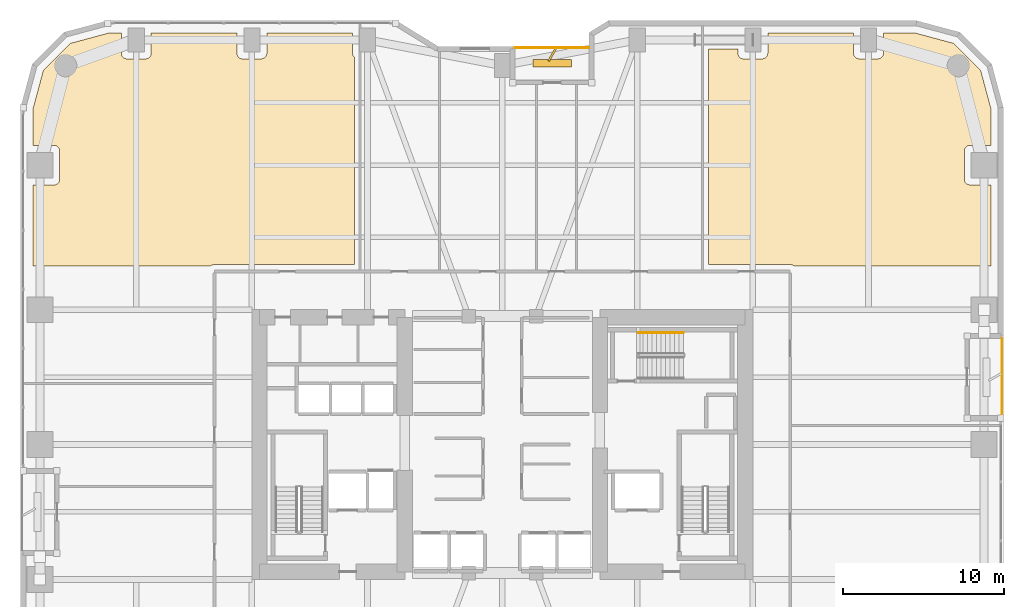
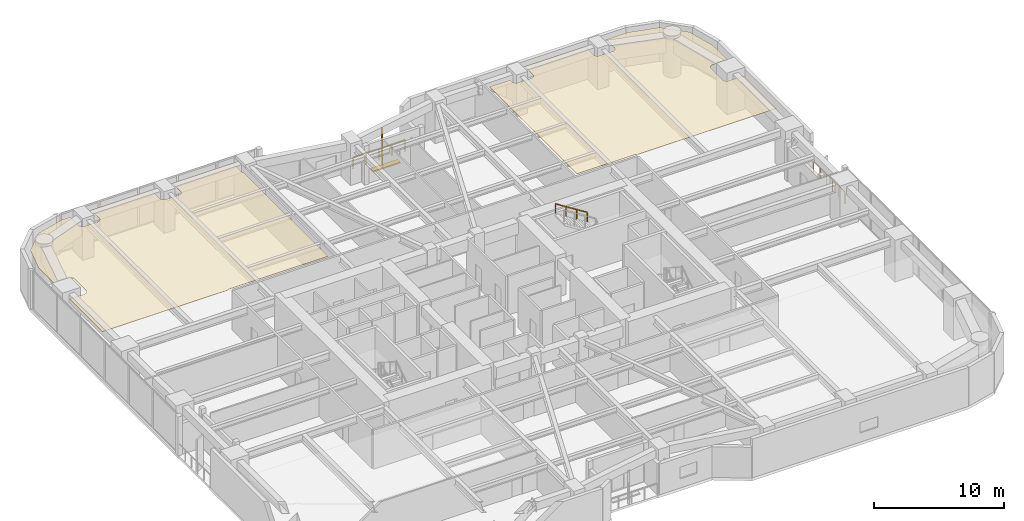
# One storey, part 28 of 28: 3 railings, 2 coverings, 2 shading devices.
"""IFC4 building model written with IfcOpenShell, lengths in metres."""

from ifc_helpers import new_model, si_unit, direction, frame, origin, origin_2d, place, context, subcontext, project, spatial, polyline, rectangle, outline, extrude, material, layer, layer_set, type_object, element, save


model = new_model("IFC4")

# Units and contexts
model_context = context("Model", 3, precision=1e-05, world=origin(), true_north=direction((0.0, 1.0)))
body_context = subcontext(model_context, "Body", "Model", "MODEL_VIEW")
ifc_project = project(units=[si_unit("LENGTHUNIT", "METRE"), si_unit("AREAUNIT", "SQUARE_METRE"), si_unit("VOLUMEUNIT", "CUBIC_METRE"), si_unit("PLANEANGLEUNIT", "RADIAN"), si_unit("MASSUNIT", "GRAM", prefix="KILO")], contexts=[model_context])

# Site, building, storey
site_placement = place(None, origin())
site = spatial("IfcSite", under=ifc_project, at=site_placement, CompositionType="ELEMENT")
building_placement = place(site_placement, origin())
building = spatial("IfcBuilding", under=site, at=building_placement, Name="Kiyonajd Concourse Tower", CompositionType="ELEMENT")
storey_placement = place(building_placement, frame((0.0, 0.0, 37.199951171875)))
storey = spatial("IfcBuildingStorey", under=building, at=storey_placement, Name="L10", CompositionType="ELEMENT", Elevation=37.199951171875)

# Coverings
ifc_material_1 = material(Name="Natural Oak Acoustic Timber Veneer", Category="wood")
ifc_layer = layer(ifc_material_1, 0.0400390625)
ifc_layer_set = layer_set([ifc_layer], Name="Natural Oak Acoustic Timber Veneer")
covering_type = type_object("IfcCoveringType", Name="CV-CLG-ACST", PredefinedType="CEILING", material=ifc_layer_set)
covering_1_placement = place(storey_placement, frame((0.0, 0.0, 3.4599609375)))
element("IfcCovering", 1, at=covering_1_placement, inside=storey, type_object=covering_type, Name="L10-47 Room Acoustic Ceiling", PredefinedType="CEILING", context=body_context, shape_type="SweptSolid", body=[
    extrude(outline(polyline([(21.097900390625, 60.986083984375), (23.5009765625, 61.6298828125), (24.27001953125, 61.6298828125), (24.27197265625, 60.3359375), (24.297119140625, 60.236083984375), (24.3291015625, 60.176025390625), (24.373046875, 60.123046875), (24.426025390625, 60.0791015625), (24.486083984375, 60.047119140625), (24.5859375, 60.02197265625), (25.81396484375, 60.02197265625), (25.9140625, 60.047119140625), (26.001953125, 60.09912109375), (26.051025390625, 60.14794921875), (26.089111328125, 60.205078125), (26.123046875, 60.302001953125), (26.1298828125, 60.3701171875), (26.1298828125, 61.6298828125), (31.469970703125, 61.6298828125), (31.471923828125, 60.3359375), (31.4970703125, 60.236083984375), (31.529052734375, 60.176025390625), (31.572998046875, 60.123046875), (31.6259765625, 60.0791015625), (31.68603515625, 60.047119140625), (31.785888671875, 60.02197265625), (32.97998046875, 60.02001953125), (33.048095703125, 60.027099609375), (33.114013671875, 60.047119140625), (33.201904296875, 60.09912109375), (33.2509765625, 60.14794921875), (33.2890625, 60.205078125), (33.322998046875, 60.302001953125), (33.330078125, 60.3701171875), (33.330078125, 61.6298828125), (38.669921875, 61.6298828125), (38.672119140625, 60.3359375), (38.68505859375, 60.26806640625), (38.7109375, 60.205078125), (38.780029296875, 60.115966796875), (38.780029296875, 47.2099609375), (30.074951171875, 47.2099609375), (29.945068359375, 47.18994140625), (29.882080078125, 47.1640625), (29.826904296875, 47.1298828125), (18.77001953125, 47.1298828125), (18.77001953125, 52.169921875), (20.080078125, 52.169921875), (20.14794921875, 52.177001953125), (20.2451171875, 52.2109375), (20.302001953125, 52.2490234375), (20.35107421875, 52.298095703125), (20.388916015625, 52.35498046875), (20.4150390625, 52.41796875), (20.429931640625, 52.52001953125), (20.429931640625, 54.280029296875), (20.4150390625, 54.382080078125), (20.388916015625, 54.445068359375), (20.35107421875, 54.501953125), (20.302001953125, 54.551025390625), (20.2451171875, 54.589111328125), (20.181884765625, 54.614990234375), (20.114013671875, 54.6279296875), (18.77001953125, 54.6298828125), (18.77001953125, 56.89892578125), (19.4140625, 59.302001953125), (21.097900390625, 60.986083984375)])), origin(), (0.0, 0.0, 1.0), 0.0400390625),
])
covering_2_placement = place(storey_placement, frame((0.0, 0.0, 3.4599609375)))
element("IfcCovering", 2, at=covering_2_placement, inside=storey, type_object=covering_type, Name="L10-52 Room Acoustic Ceiling", PredefinedType="CEILING", context=body_context, shape_type="SweptSolid", body=[
    extrude(outline(polyline([(66.173095703125, 47.1298828125), (66.117919921875, 47.1640625), (66.054931640625, 47.18994140625), (65.925048828125, 47.2099609375), (60.830078125, 47.2099609375), (60.830078125, 60.6298828125), (62.669921875, 60.6298828125), (62.672119140625, 60.3359375), (62.697021484375, 60.236083984375), (62.72900390625, 60.176025390625), (62.77294921875, 60.123046875), (62.825927734375, 60.0791015625), (62.885986328125, 60.047119140625), (62.951904296875, 60.027099609375), (63.02001953125, 60.02001953125), (64.179931640625, 60.02001953125), (64.281982421875, 60.034912109375), (64.344970703125, 60.06103515625), (64.427001953125, 60.123046875), (64.489013671875, 60.205078125), (64.52294921875, 60.302001953125), (64.530029296875, 60.3701171875), (64.530029296875, 61.6298828125), (69.8701171875, 61.6298828125), (69.8701171875, 60.3701171875), (69.876953125, 60.302001953125), (69.89697265625, 60.236083984375), (69.928955078125, 60.176025390625), (69.998046875, 60.09912109375), (70.0859375, 60.047119140625), (70.18603515625, 60.02197265625), (71.4140625, 60.02197265625), (71.513916015625, 60.047119140625), (71.573974609375, 60.0791015625), (71.626953125, 60.123046875), (71.68896484375, 60.205078125), (71.715087890625, 60.26806640625), (71.72802734375, 60.3359375), (71.72998046875, 61.6298828125), (73.698974609375, 61.6298828125), (76.10205078125, 60.986083984375), (77.785888671875, 59.302001953125), (78.429931640625, 56.89892578125), (78.429931640625, 54.6298828125), (77.1201171875, 54.6298828125), (77.052001953125, 54.623046875), (76.986083984375, 54.60302734375), (76.926025390625, 54.571044921875), (76.84912109375, 54.501953125), (76.81103515625, 54.445068359375), (76.784912109375, 54.382080078125), (76.77001953125, 54.280029296875), (76.77001953125, 52.52001953125), (76.784912109375, 52.41796875), (76.81103515625, 52.35498046875), (76.84912109375, 52.298095703125), (76.89794921875, 52.2490234375), (76.955078125, 52.2109375), (77.01806640625, 52.18505859375), (77.0859375, 52.172119140625), (78.429931640625, 52.169921875), (78.429931640625, 47.1298828125), (66.173095703125, 47.1298828125)])), origin(), (0.0, 0.0, 1.0), 0.0400390625),
])

# Railings
ifc_material_2 = material(Name="Thermally Broken Anodised Aluminium", Category="aluminium")
railing_type_1 = type_object("IfcRailingType", Name="RL-GRD-LOG", PredefinedType="GUARDRAIL", material=ifc_material_2)
railing_1_placement = place(storey_placement, frame((53.39990234375, 60.719970703125, 0.0)))
element("IfcRailing", 3, at=railing_1_placement, inside=storey, type_object=railing_type_1, Name="L10 Engawa Loggia Perimeter Guard LOG-N", PredefinedType="GUARDRAIL", context=body_context, shape_type="SweptSolid", body=[
    extrude(rectangle(XDim=0.048095703125, YDim=0.048095703125, at=origin_2d()), frame((0.0, 0.0, 1.076171875), z_axis=(-1.0, 0.0, 0.0), x_axis=(0.0, -1.0, 0.0)), (0.0, 0.0, 1.0), 4.599853515625),
    extrude(rectangle(XDim=0.0419921875, YDim=0.0419921875, at=origin_2d()), origin(), (0.0, 0.0, 1.0), 1.052001953125),
    extrude(rectangle(XDim=0.0419921875, YDim=0.0419921875, at=origin_2d()), frame((-1.14990234375, 0.0, 0.0)), (0.0, 0.0, 1.0), 1.052001953125),
    extrude(rectangle(XDim=0.0419921875, YDim=0.0419921875, at=origin_2d()), frame((-2.2998046875, 0.0, 0.0)), (0.0, 0.0, 1.0), 1.052001953125),
    extrude(rectangle(XDim=0.0419921875, YDim=0.0419921875, at=origin_2d()), frame((-3.449951171875, 0.0, 0.0)), (0.0, 0.0, 1.0), 1.052001953125),
    extrude(rectangle(XDim=0.0419921875, YDim=0.0419921875, at=origin_2d()), frame((-4.599853515625, 0.0, 0.0)), (0.0, 0.0, 1.0), 1.052001953125),
])
railing_2_placement = place(storey_placement, frame((79.1201171875, 37.800048828125, 0.0)))
element("IfcRailing", 4, at=railing_2_placement, inside=storey, type_object=railing_type_1, Name="L10 Engawa Loggia Perimeter Guard LOG-E", PredefinedType="GUARDRAIL", context=body_context, shape_type="SweptSolid", body=[
    extrude(rectangle(XDim=0.048095703125, YDim=0.048095703125, at=origin_2d()), frame((0.0, 0.0, 1.076171875), z_axis=(0.0, 1.0, 0.0), x_axis=(-1.0, 0.0, 0.0)), (0.0, 0.0, 1.0), 4.800048828125),
    extrude(rectangle(XDim=0.0419921875, YDim=0.0419921875, at=origin_2d()), origin(), (0.0, 0.0, 1.0), 1.052001953125),
    extrude(rectangle(XDim=0.0419921875, YDim=0.0419921875, at=origin_2d()), frame((0.0, 0.9599609375, 0.0)), (0.0, 0.0, 1.0), 1.052001953125),
    extrude(rectangle(XDim=0.0419921875, YDim=0.0419921875, at=origin_2d()), frame((0.0, 1.919921875, 0.0)), (0.0, 0.0, 1.0), 1.052001953125),
    extrude(rectangle(XDim=0.0419921875, YDim=0.0419921875, at=origin_2d()), frame((0.0, 2.880126953125, 0.0)), (0.0, 0.0, 1.0), 1.052001953125),
    extrude(rectangle(XDim=0.0419921875, YDim=0.0419921875, at=origin_2d()), frame((0.0, 3.840087890625, 0.0)), (0.0, 0.0, 1.0), 1.052001953125),
    extrude(rectangle(XDim=0.0419921875, YDim=0.0419921875, at=origin_2d()), frame((0.0, 4.800048828125, 0.0)), (0.0, 0.0, 1.0), 1.052001953125),
])
ifc_material_3 = material(Name="Brushed Stainless Steel Cab Assembly", Category="steel")
railing_type_2 = type_object("IfcRailingType", Name="RL-HND-900", PredefinedType="HANDRAIL", material=ifc_material_3)
railing_3_placement = place(storey_placement, frame((59.280029296875, 42.969970703125, 2.12744140625)))
element("IfcRailing", 5, at=railing_3_placement, inside=storey, type_object=railing_type_2, Name="L10 ST3 stair handrail 2", PredefinedType="HANDRAIL", context=body_context, shape_type="SweptSolid", body=[
    extrude(rectangle(XDim=0.048095703125, YDim=0.048095703125, at=origin_2d()), frame((0.0, 0.0, 0.8759765625), z_axis=(-0.844908973607, 0.0, 0.534910110503), x_axis=(0.0, -1.0, 0.0)), (0.0, 0.0, 1.0), 3.31396484375),
    extrude(rectangle(XDim=0.0419921875, YDim=0.0419921875, at=origin_2d()), origin(), (0.0, 0.0, 1.0), 0.851806640625),
    extrude(rectangle(XDim=0.0419921875, YDim=0.0419921875, at=origin_2d()), frame((-0.933349609375, 0.0, 0.5908203125)), (0.0, 0.0, 1.0), 0.851806640625),
    extrude(rectangle(XDim=0.0419921875, YDim=0.0419921875, at=origin_2d()), frame((-1.86669921875, 0.0, 1.181884765625)), (0.0, 0.0, 1.0), 0.851806640625),
    extrude(rectangle(XDim=0.0419921875, YDim=0.0419921875, at=origin_2d()), frame((-2.800048828125, 0.0, 1.772705078125)), (0.0, 0.0, 1.0), 0.851806640625),
])

# Shading devices
ifc_material_4 = material(Name="Precast concrete C50/60", Category="concrete")
shading_device_type_1 = type_object("IfcShadingDeviceType", Name="SH-FIN-900", PredefinedType="USERDEFINED", material=ifc_material_4)
shading_device_1_placement = place(storey_placement, frame((51.10009765625, 60.27001953125, 0.0), z_axis=(0.0, 0.0, 1.0), x_axis=(0.5, 0.866025403784, 0.0)))
element("IfcShadingDevice", 6, at=shading_device_1_placement, inside=storey, type_object=shading_device_type_1, Name="L10 Angled Koshi Solar Fin LOG-N", ObjectType="FIN", PredefinedType="USERDEFINED", context=body_context, shape_type="SweptSolid", body=[
    extrude(rectangle(XDim=0.89990234375, YDim=0.1201171875, at=origin_2d()), origin(), (0.0, 0.0, 1.0), 3.0),
])
shading_device_type_2 = type_object("IfcShadingDeviceType", Name="SH-LVR-600", PredefinedType="JALOUSIE", material=ifc_material_2)
shading_device_2_placement = place(storey_placement, frame((51.10009765625, 59.75, 0.0), z_axis=(0.0, 0.0, 1.0), x_axis=(1.0, 0.0, 0.0)))
element("IfcShadingDevice", 7, at=shading_device_2_placement, inside=storey, type_object=shading_device_type_2, Name="L10 Loggia Threshold Louver LOG-N", PredefinedType="JALOUSIE", context=body_context, shape_type="SweptSolid", body=[
    extrude(rectangle(XDim=2.39990234375, YDim=0.449951171875, at=origin_2d()), origin(), (0.0, 0.0, 1.0), 0.10009765625),
])

save(model, "model.ifc")
